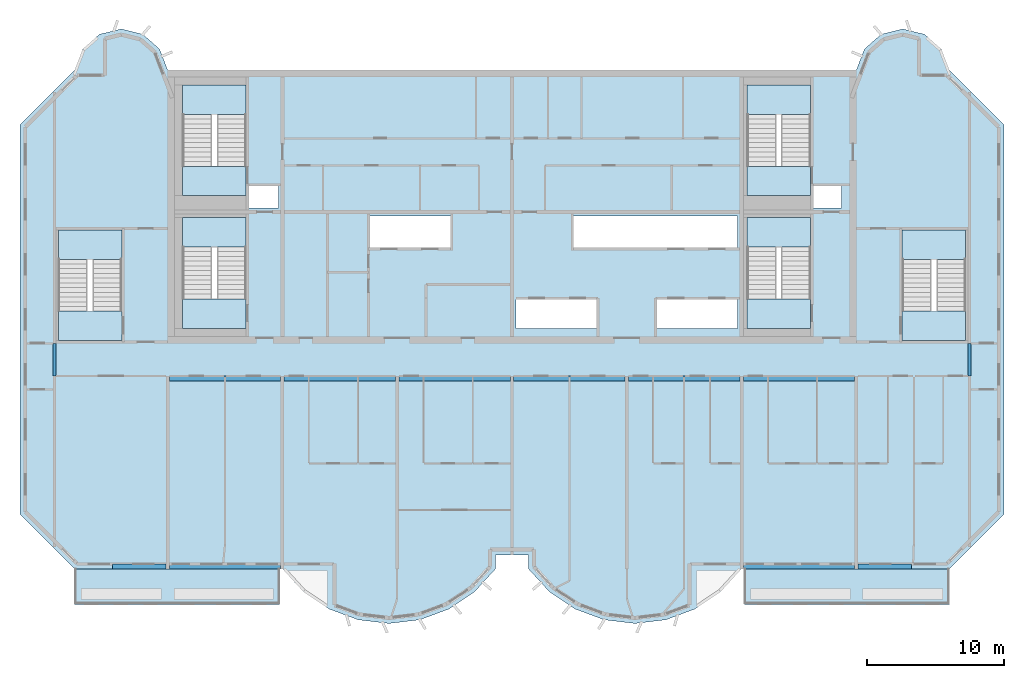
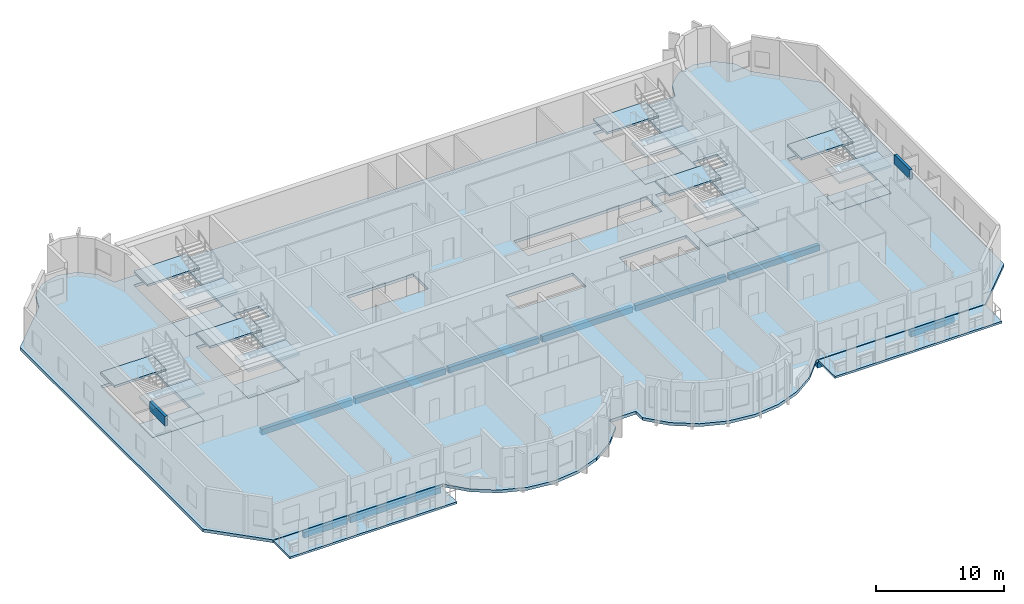
# One storey, part 1 of 12: 21 slabs, 12 beams, 6 elements without a shape of their own.
"""IFC4 building model written with IfcOpenShell, lengths in metres."""

from ifc_helpers import new_model, si_unit, direction, frame, origin, origin_2d, place, context, subcontext, project, spatial, polyline, rectangle, outline, extrude, source, transform, mapped, material, layer, layer_set, material_profile, profile_set, type_object, element, aggregate, save


model = new_model("IFC4")

# Units and contexts
model_context = context("Model", 3, precision=1e-05, world=origin(), true_north=direction((0.0, 1.0)))
body_context = subcontext(model_context, "Body", "Model", "MODEL_VIEW")
ifc_project = project(units=[si_unit("LENGTHUNIT", "METRE"), si_unit("AREAUNIT", "SQUARE_METRE"), si_unit("VOLUMEUNIT", "CUBIC_METRE"), si_unit("PLANEANGLEUNIT", "RADIAN"), si_unit("MASSUNIT", "GRAM", prefix="KILO")], contexts=[model_context])

# Site, building, storey
site_placement = place(None, origin())
site = spatial("IfcSite", under=ifc_project, at=site_placement, CompositionType="ELEMENT")
building_placement = place(site_placement, origin())
building = spatial("IfcBuilding", under=site, at=building_placement, Name="Vanashikhar Sky Hotel", CompositionType="ELEMENT")
storey_placement = place(building_placement, frame((0.0, 0.0, 313.699951171875)))
storey = spatial("IfcBuildingStorey", under=building, at=storey_placement, Name="L75", CompositionType="ELEMENT", Elevation=313.699951171875)

# Beams
ifc_material_1 = material(Name="Concrete M50", Category="concrete")
ifc_material_profile_1 = material_profile(ifc_material_1, rectangle(XDim=0.25, YDim=0.89990234375, at=origin_2d()))
ifc_profile_set_1 = profile_set([ifc_material_profile_1], Name="RC 250x900 beam Concrete M50")
beam_type_1 = type_object("IfcBeamType", Name="RC 250x900 beam Concrete M50", PredefinedType="LINTEL", material=ifc_profile_set_1)
shared_shape_1 = source(origin(), body_context, "Body", "SweptSolid", [
    extrude(rectangle(XDim=0.25, YDim=0.89990234375, at=origin_2d()), origin(), (0.0, 0.0, 1.0), 2.39990234375),
])
for number, where, z_axis, x_axis, name in (
    (1, (16.925048828125, 19.60009765625, 3.27001953125), (0.0, 1.0, 0.0), (-1.0, 0.0, 0.0), "LB-L75-XW03"),
    (2, (83.875, 19.60009765625, 3.27001953125), (0.0, 1.0, 0.0), (-1.0, 0.0, 0.0), "LB-L75-XW11"),
):
    element("IfcBeam", number, at=place(storey_placement, frame(where, z_axis=z_axis, x_axis=x_axis)), inside=storey, type_object=beam_type_1, Name=name, PredefinedType="LINTEL", context=body_context, shape_type="MappedRepresentation", body=[
        mapped(shared_shape_1, transform((0.0, 0.0, 0.0), scale=1.0)),
    ])
ifc_material_profile_2 = material_profile(ifc_material_1, rectangle(XDim=0.35009765625, YDim=0.550048828125, at=origin_2d()))
ifc_profile_set_2 = profile_set([ifc_material_profile_2], Name="RC 350x550 beam Concrete M50")
beam_type_2 = type_object("IfcBeamType", Name="RC 350x550 beam Concrete M50", PredefinedType="SPANDREL", material=ifc_profile_set_2)
shared_shape_2 = source(origin(), body_context, "Body", "SweptSolid", [
    extrude(rectangle(XDim=0.35009765625, YDim=0.550048828125, at=origin_2d()), origin(), (0.0, 0.0, 1.0), 8.150146484375),
])
for number, where, z_axis, x_axis, name in (
    (3, (25.324951171875, 5.675048828125, -0.554931640625), (1.0, 0.0, 0.0), (0.0, 1.0, 0.0), "EB-L75-F01"),
    (4, (67.324951171875, 5.675048828125, -0.554931640625), (1.0, 0.0, 0.0), (0.0, 1.0, 0.0), "EB-L75-F03"),
    (5, (25.324951171875, 19.425048828125, -0.554931640625), (1.0, 0.0, 0.0), (0.0, 1.0, 0.0), "CB-L75-01"),
    (6, (50.52490234375, 19.425048828125, -0.554931640625), (1.0, 0.0, 0.0), (0.0, 1.0, 0.0), "CB-L75-04"),
    (7, (67.324951171875, 19.425048828125, -0.554931640625), (1.0, 0.0, 0.0), (0.0, 1.0, 0.0), "CB-L75-06"),
):
    element("IfcBeam", number, at=place(storey_placement, frame(where, z_axis=z_axis, x_axis=x_axis)), inside=storey, type_object=beam_type_2, Name=name, PredefinedType="SPANDREL", context=body_context, shape_type="MappedRepresentation", body=[
        mapped(shared_shape_2, transform((0.0, 0.0, 0.0), scale=1.0)),
    ])
ifc_material_profile_3 = material_profile(ifc_material_1, rectangle(XDim=0.35009765625, YDim=0.550048828125, at=origin_2d()))
ifc_profile_set_3 = profile_set([ifc_material_profile_3], Name="RC 350x550 cantilever beam Concrete M50")
beam_type_3 = type_object("IfcBeamType", Name="RC 350x550 cantilever beam Concrete M50", PredefinedType="SPANDREL", material=ifc_profile_set_3)
shared_shape_3 = source(origin(), body_context, "Body", "SweptSolid", [
    extrude(rectangle(XDim=0.35009765625, YDim=0.550048828125, at=origin_2d()), origin(), (0.0, 0.0, 1.0), 3.89990234375),
])
for number, where, z_axis, x_axis, name in (
    (8, (21.175048828125, 5.675048828125, -0.554931640625), (1.0, 0.0, 0.0), (0.0, 1.0, 0.0), "EB-L75-F02"),
    (9, (75.72509765625, 5.675048828125, -0.554931640625), (1.0, 0.0, 0.0), (0.0, 1.0, 0.0), "EB-L75-F04"),
):
    element("IfcBeam", number, at=place(storey_placement, frame(where, z_axis=z_axis, x_axis=x_axis)), inside=storey, type_object=beam_type_3, Name=name, PredefinedType="SPANDREL", context=body_context, shape_type="MappedRepresentation", body=[
        mapped(shared_shape_3, transform((0.0, 0.0, 0.0), scale=1.0)),
    ])
shared_shape_4 = source(origin(), body_context, "Body", "SweptSolid", [
    extrude(rectangle(XDim=0.35009765625, YDim=0.550048828125, at=origin_2d()), origin(), (0.0, 0.0, 1.0), 8.14990234375),
])
for number, where, z_axis, x_axis, name in (
    (10, (33.72509765625, 19.425048828125, -0.554931640625), (1.0, 0.0, 0.0), (0.0, 1.0, 0.0), "CB-L75-02"),
    (11, (42.125, 19.425048828125, -0.554931640625), (1.0, 0.0, 0.0), (0.0, 1.0, 0.0), "CB-L75-03"),
    (12, (58.925048828125, 19.425048828125, -0.554931640625), (1.0, 0.0, 0.0), (0.0, 1.0, 0.0), "CB-L75-05"),
):
    element("IfcBeam", number, at=place(storey_placement, frame(where, z_axis=z_axis, x_axis=x_axis)), inside=storey, type_object=beam_type_2, Name=name, PredefinedType="SPANDREL", context=body_context, shape_type="MappedRepresentation", body=[
        mapped(shared_shape_4, transform((0.0, 0.0, 0.0), scale=1.0)),
    ])

# Slabs
ifc_material_2 = material(Name="Concrete M40", Category="concrete")
ifc_layer_1 = layer(ifc_material_2, 0.199951171875)
ifc_layer_set_1 = layer_set([ifc_layer_1], Name="Balcony slab 200 mm")
slab_type_1 = type_object("IfcSlabType", Name="Balcony slab 200 mm", PredefinedType="USERDEFINED", material=ifc_layer_set_1)
shared_shape_5 = source(origin(), body_context, "Body", "SweptSolid", [
    extrude(outline(polyline([(18.39990234375, 2.89990234375), (33.39990234375, 2.89990234375), (33.39990234375, 5.5), (18.39990234375, 5.5), (18.39990234375, 2.89990234375)])), origin(), (0.0, 0.0, 1.0), 0.199951171875),
])
slab_1_placement = place(storey_placement, frame((0.0, 0.0, -0.25)))
element("IfcSlab", 13, at=slab_1_placement, inside=storey, type_object=slab_type_1, Name="Balcony slab L75 1", ObjectType="BALCONY", PredefinedType="USERDEFINED", context=body_context, shape_type="MappedRepresentation", body=[
    mapped(shared_shape_5, transform((0.0, 0.0, 0.0), scale=1.0)),
])
shared_shape_6 = source(origin(), body_context, "Body", "SweptSolid", [
    extrude(outline(polyline([(67.39990234375, 2.89990234375), (82.39990234375, 2.89990234375), (82.39990234375, 5.5), (67.39990234375, 5.5), (67.39990234375, 2.89990234375)])), origin(), (0.0, 0.0, 1.0), 0.199951171875),
])
slab_2_placement = place(storey_placement, frame((0.0, 0.0, -0.25)))
element("IfcSlab", 14, at=slab_2_placement, inside=storey, type_object=slab_type_1, Name="Balcony slab L75 2", ObjectType="BALCONY", PredefinedType="USERDEFINED", context=body_context, shape_type="MappedRepresentation", body=[
    mapped(shared_shape_6, transform((0.0, 0.0, 0.0), scale=1.0)),
])
ifc_layer_2 = layer(ifc_material_2, 0.280029296875)
ifc_layer_set_2 = layer_set([ifc_layer_2], Name="Floor slab 280 mm")
slab_type_2 = type_object("IfcSlabType", Name="Floor slab 280 mm", PredefinedType="FLOOR", material=ifc_layer_set_2)
shared_shape_7 = source(origin(), body_context, "Body", "SweptSolid", [
    extrude(outline(polyline([(14.39990234375, 9.5), (14.39990234375, 9.5), (14.39990234375, 38.0), (14.39990234375, 38.0), (14.400146484375, 38.0), (18.39990234375, 42.0), (18.39990234375, 42.0), (18.400146484375, 42.0), (18.400146484375, 42.0), (18.400390625, 42.0), (18.400634765625, 42.0), (18.40087890625, 42.0), (18.4013671875, 42.000244140625), (18.401611328125, 42.000244140625), (18.40185546875, 42.00048828125), (18.402099609375, 42.000732421875), (18.40234375, 42.000732421875), (18.402587890625, 42.001220703125), (18.402587890625, 42.001220703125), (18.40283203125, 42.00146484375), (18.40283203125, 42.001708984375), (18.403076171875, 42.002197265625), (18.403076171875, 42.002197265625), (18.987060546875, 43.52587890625), (18.987060546875, 43.52587890625), (18.987060546875, 43.52587890625), (20.2099609375, 44.60595703125), (20.2099609375, 44.60595703125), (20.210205078125, 44.60595703125), (20.21044921875, 44.606201171875), (20.210693359375, 44.606201171875), (20.2109375, 44.6064453125), (20.211181640625, 44.606689453125), (20.211181640625, 44.60693359375), (20.21142578125, 44.607177734375), (20.211669921875, 44.607421875), (20.2119140625, 44.607666015625), (20.2119140625, 44.60791015625), (20.2119140625, 44.608154296875), (20.2119140625, 44.6083984375), (20.2119140625, 44.60888671875), (20.2119140625, 44.60986328125), (20.2119140625, 44.610107421875), (20.212158203125, 44.610107421875), (21.7998046875, 45.0), (21.800048828125, 45.0), (21.800048828125, 45.0), (23.387939453125, 44.610107421875), (23.387939453125, 44.610107421875), (23.38818359375, 44.610107421875), (24.614990234375, 43.527099609375), (24.614990234375, 43.527099609375), (24.614990234375, 43.52685546875), (25.19921875, 42.001953125), (25.199462890625, 42.001708984375), (25.199462890625, 42.00146484375), (25.19970703125, 42.001220703125), (25.199951171875, 42.0009765625), (25.2001953125, 42.000732421875), (25.200439453125, 42.00048828125), (25.20068359375, 42.00048828125), (25.200927734375, 42.000244140625), (25.201171875, 42.0), (25.201416015625, 42.0), (25.201904296875, 42.0), (25.2021484375, 42.0), (75.597900390625, 42.0), (75.59814453125, 42.0), (75.598388671875, 42.0), (75.598876953125, 42.0), (75.59912109375, 42.000244140625), (75.599365234375, 42.00048828125), (75.599609375, 42.00048828125), (75.599853515625, 42.000732421875), (75.60009765625, 42.0009765625), (75.600341796875, 42.001220703125), (75.6005859375, 42.00146484375), (75.6005859375, 42.001708984375), (75.6005859375, 42.001953125), (76.18505859375, 43.52685546875), (76.18505859375, 43.527099609375), (76.18505859375, 43.527099609375), (77.411865234375, 44.610107421875), (77.412109375, 44.610107421875), (77.412109375, 44.610107421875), (79.0, 45.0), (79.0, 45.0), (79.0, 45.0), (80.587890625, 44.610107421875), (80.587890625, 44.610107421875), (80.587890625, 44.60986328125), (80.587890625, 44.60888671875), (80.587890625, 44.6083984375), (80.588134765625, 44.608154296875), (80.588134765625, 44.60791015625), (80.588134765625, 44.607666015625), (80.58837890625, 44.607421875), (80.58837890625, 44.607177734375), (80.588623046875, 44.60693359375), (80.5888671875, 44.606689453125), (80.589111328125, 44.6064453125), (80.58935546875, 44.606201171875), (80.589599609375, 44.606201171875), (80.58984375, 44.60595703125), (80.590087890625, 44.60595703125), (80.590087890625, 44.60595703125), (81.81298828125, 43.52587890625), (81.81298828125, 43.52587890625), (81.81298828125, 43.52587890625), (82.39697265625, 42.002197265625), (82.39697265625, 42.002197265625), (82.397216796875, 42.001708984375), (82.397216796875, 42.00146484375), (82.3974609375, 42.001220703125), (82.3974609375, 42.001220703125), (82.397705078125, 42.000732421875), (82.39794921875, 42.000732421875), (82.398193359375, 42.00048828125), (82.3984375, 42.000244140625), (82.398681640625, 42.000244140625), (82.39892578125, 42.0), (82.3994140625, 42.0), (82.3994140625, 42.0), (82.39990234375, 42.0), (82.39990234375, 42.0), (82.39990234375, 42.0), (82.400146484375, 42.0), (86.39990234375, 38.0), (86.39990234375, 38.0), (86.39990234375, 38.0), (86.39990234375, 9.5), (86.39990234375, 9.5), (86.39990234375, 9.5), (82.400146484375, 5.5), (82.39990234375, 5.5), (82.39990234375, 5.5), (67.19775390625, 5.5), (67.197509765625, 5.5), (67.197265625, 5.5), (67.197021484375, 5.5), (67.19677734375, 5.499755859375), (67.1962890625, 5.499755859375), (67.1962890625, 5.49951171875), (67.19580078125, 5.499267578125), (67.19580078125, 5.4990234375), (67.195556640625, 5.498779296875), (67.1953125, 5.498779296875), (67.1953125, 5.498291015625), (67.195068359375, 5.498291015625), (67.195068359375, 5.498046875), (67.195068359375, 5.498046875), (67.195068359375, 5.497802734375), (65.666015625, 3.828125), (65.666015625, 3.827880859375), (65.666015625, 3.827880859375), (63.78515625, 2.56201171875), (63.784912109375, 2.56201171875), (63.784912109375, 2.56201171875), (63.78466796875, 2.56201171875), (63.784423828125, 2.561767578125), (63.7841796875, 2.5615234375), (63.783935546875, 2.561279296875), (63.78369140625, 2.56103515625), (63.783447265625, 2.560791015625), (63.783447265625, 2.560546875), (63.783203125, 2.560302734375), (63.783203125, 2.56005859375), (63.783203125, 2.559814453125), (63.782958984375, 2.5595703125), (63.782958984375, 2.55908203125), (63.782958984375, 2.55810546875), (63.782958984375, 2.55810546875), (63.782958984375, 2.55810546875), (61.654052734375, 1.76806640625), (61.654052734375, 1.76806640625), (61.65380859375, 1.76806640625), (59.400146484375, 1.5), (59.39990234375, 1.5), (59.39990234375, 1.5), (57.14599609375, 1.76806640625), (57.14599609375, 1.76806640625), (57.14599609375, 1.76806640625), (55.01708984375, 2.55810546875), (55.01708984375, 2.55810546875), (55.016845703125, 2.55810546875), (53.133056640625, 3.825927734375), (53.133056640625, 3.825927734375), (53.1328125, 3.826171875), (51.60009765625, 5.5), (51.60009765625, 5.5), (51.60009765625, 5.5), (51.60009765625, 6.4970703125), (51.60009765625, 6.497314453125), (51.599853515625, 6.49755859375), (51.599853515625, 6.497802734375), (51.599853515625, 6.498046875), (51.599609375, 6.498291015625), (51.599609375, 6.498779296875), (51.599365234375, 6.498779296875), (51.59912109375, 6.4990234375), (51.598876953125, 6.499267578125), (51.5986328125, 6.49951171875), (51.598388671875, 6.49951171875), (51.59814453125, 6.499755859375), (51.597900390625, 6.5), (51.59765625, 6.5), (51.597412109375, 6.5), (51.596923828125, 6.5), (49.202880859375, 6.5), (49.20263671875, 6.5), (49.202392578125, 6.5), (49.2021484375, 6.5), (49.201904296875, 6.499755859375), (49.20166015625, 6.49951171875), (49.201416015625, 6.49951171875), (49.201171875, 6.499267578125), (49.200927734375, 6.4990234375), (49.20068359375, 6.498779296875), (49.200439453125, 6.498779296875), (49.200439453125, 6.498291015625), (49.2001953125, 6.498046875), (49.2001953125, 6.497802734375), (49.2001953125, 6.49755859375), (49.199951171875, 6.497314453125), (49.199951171875, 6.4970703125), (49.199951171875, 5.5), (49.199951171875, 5.5), (49.199951171875, 5.5), (47.6669921875, 3.826171875), (47.6669921875, 3.825927734375), (47.6669921875, 3.825927734375), (45.783203125, 2.55810546875), (45.782958984375, 2.55810546875), (45.782958984375, 2.55810546875), (43.654052734375, 1.76806640625), (43.654052734375, 1.76806640625), (43.65380859375, 1.76806640625), (41.400146484375, 1.5), (41.39990234375, 1.5), (41.39990234375, 1.5), (39.14599609375, 1.76806640625), (39.14599609375, 1.76806640625), (39.14599609375, 1.76806640625), (37.01708984375, 2.55810546875), (37.01708984375, 2.55810546875), (37.01708984375, 2.55810546875), (37.01708984375, 2.55908203125), (37.01708984375, 2.5595703125), (37.016845703125, 2.559814453125), (37.016845703125, 2.56005859375), (37.016845703125, 2.560302734375), (37.0166015625, 2.560546875), (37.0166015625, 2.560791015625), (37.016357421875, 2.56103515625), (37.01611328125, 2.561279296875), (37.015869140625, 2.5615234375), (37.015625, 2.561767578125), (37.015380859375, 2.56201171875), (37.014892578125, 2.56201171875), (37.014892578125, 2.56201171875), (37.014892578125, 2.56201171875), (35.134033203125, 3.827880859375), (35.134033203125, 3.827880859375), (35.1337890625, 3.828125), (33.60498046875, 5.497802734375), (33.60498046875, 5.498046875), (33.60498046875, 5.498046875), (33.60498046875, 5.498291015625), (33.604736328125, 5.498291015625), (33.604736328125, 5.498779296875), (33.6044921875, 5.498779296875), (33.604248046875, 5.4990234375), (33.60400390625, 5.499267578125), (33.603759765625, 5.49951171875), (33.603515625, 5.499755859375), (33.603271484375, 5.499755859375), (33.60302734375, 5.5), (33.602783203125, 5.5), (33.6025390625, 5.5), (33.602294921875, 5.5), (18.400146484375, 5.5), (18.39990234375, 5.5), (18.39990234375, 5.5), (14.400146484375, 9.5), (14.39990234375, 9.5)]), holes=[polyline([(33.300048828125, 33.60009765625), (31.050048828125, 33.60009765625), (31.050048828125, 31.89990234375), (33.300048828125, 31.89990234375), (33.300048828125, 33.60009765625)]), polyline([(39.89990234375, 31.300048828125), (39.89990234375, 29.0), (45.89990234375, 29.0), (45.89990234375, 31.300048828125), (39.89990234375, 31.300048828125)]), polyline([(50.699951171875, 25.199951171875), (50.699951171875, 23.10009765625), (56.699951171875, 23.10009765625), (56.699951171875, 25.199951171875), (50.699951171875, 25.199951171875)]), polyline([(66.89990234375, 29.0), (66.89990234375, 31.300048828125), (54.89990234375, 31.300048828125), (54.89990234375, 29.0), (66.89990234375, 29.0)]), polyline([(60.89990234375, 25.199951171875), (60.89990234375, 23.10009765625), (66.89990234375, 23.10009765625), (66.89990234375, 25.199951171875), (60.89990234375, 25.199951171875)]), polyline([(74.5, 33.60009765625), (72.35009765625, 33.60009765625), (72.35009765625, 31.89990234375), (74.5, 31.89990234375), (74.5, 33.60009765625)]), polyline([(30.949951171875, 23.10009765625), (30.949951171875, 31.199951171875), (26.300048828125, 31.199951171875), (26.300048828125, 23.10009765625), (30.949951171875, 23.10009765625)]), polyline([(72.25, 23.10009765625), (72.25, 31.199951171875), (67.60009765625, 31.199951171875), (67.60009765625, 23.10009765625), (72.25, 23.10009765625)]), polyline([(30.949951171875, 32.800048828125), (30.949951171875, 40.89990234375), (26.300048828125, 40.89990234375), (26.300048828125, 32.800048828125), (30.949951171875, 32.800048828125)]), polyline([(72.25, 32.800048828125), (72.25, 40.89990234375), (67.60009765625, 40.89990234375), (67.60009765625, 32.800048828125), (72.25, 32.800048828125)]), polyline([(83.60009765625, 22.199951171875), (83.60009765625, 30.300048828125), (78.949951171875, 30.300048828125), (78.949951171875, 22.199951171875), (83.60009765625, 22.199951171875)]), polyline([(21.85009765625, 22.199951171875), (21.85009765625, 30.300048828125), (17.199951171875, 30.300048828125), (17.199951171875, 22.199951171875), (21.85009765625, 22.199951171875)])]), origin(), (0.0, 0.0, 1.0), 0.280029296875),
])
slab_3_placement = place(storey_placement, frame((0.0, 0.0, -0.280029296875)))
element("IfcSlab", 15, at=slab_3_placement, inside=storey, type_object=slab_type_2, Name="Floor slab L75", PredefinedType="FLOOR", context=body_context, shape_type="MappedRepresentation", body=[
    mapped(shared_shape_7, transform((0.0, 0.0, 0.0), scale=1.0)),
])

# Stair, slabs
stair_type = type_object("IfcStairType", Name="Exit stair 2150", PredefinedType="DOUBLE_RETURN_STAIR", material=ifc_material_2)
stair_1_placement = place(storey_placement, origin())
stair_1 = element("IfcStair", 16, at=stair_1_placement, inside=storey, type_object=stair_type, Name="L75 Exit stair 1", PredefinedType="DOUBLE_RETURN_STAIR")
ifc_layer_3 = layer(ifc_material_2, 0.199951171875)
ifc_layer_set_3 = layer_set([ifc_layer_3], Name="Stair landing 200")
slab_type_3 = type_object("IfcSlabType", Name="Stair landing 200", PredefinedType="LANDING", material=ifc_layer_set_3)
shared_shape_8 = source(origin(), body_context, "Body", "SweptSolid", [
    extrude(outline(polyline([(30.949951171875, 23.10009765625), (30.949951171875, 25.25), (26.300048828125, 25.25), (26.300048828125, 23.10009765625), (30.949951171875, 23.10009765625)])), origin(), (0.0, 0.0, 1.0), 0.199951171875),
])
slab_4_placement = place(storey_placement, frame((0.0, 0.0, 2.466796875)))
slab_4 = element("IfcSlab", 17, at=slab_4_placement, type_object=slab_type_3, Name="ST-C1 landing 2", PredefinedType="LANDING", context=body_context, shape_type="MappedRepresentation", body=[
    mapped(shared_shape_8, transform((0.0, 0.0, 0.0), scale=1.0)),
])
shared_shape_9 = source(origin(), body_context, "Body", "SweptSolid", [
    extrude(outline(polyline([(30.949951171875, 29.050048828125), (30.949951171875, 31.199951171875), (26.300048828125, 31.199951171875), (26.300048828125, 29.050048828125), (30.949951171875, 29.050048828125)])), origin(), (0.0, 0.0, 1.0), 0.2001953125),
])
slab_5_placement = place(storey_placement, frame((0.0, 0.0, 1.13330078125)))
slab_5 = element("IfcSlab", 18, at=slab_5_placement, type_object=slab_type_3, Name="ST-C1 landing 1", PredefinedType="LANDING", context=body_context, shape_type="MappedRepresentation", body=[
    mapped(shared_shape_9, transform((0.0, 0.0, 0.0), scale=1.0)),
])
aggregate(stair_1, [slab_5, slab_4])

# Slab
ifc_layer_4 = layer(ifc_material_2, 0.280029296875)
ifc_layer_set_4 = layer_set([ifc_layer_4], Name="Stair floor landing 280")
slab_type_4 = type_object("IfcSlabType", Name="Stair floor landing 280", PredefinedType="LANDING", material=ifc_layer_set_4)
shared_shape_10 = source(origin(), body_context, "Body", "SweptSolid", [
    extrude(outline(polyline([(30.949951171875, 23.10009765625), (30.949951171875, 25.25), (26.300048828125, 25.25), (26.300048828125, 23.10009765625), (30.949951171875, 23.10009765625)])), origin(), (0.0, 0.0, 1.0), 0.280029296875),
])
slab_6_placement = place(storey_placement, frame((0.0, 0.0, -0.280029296875)))
element("IfcSlab", 19, at=slab_6_placement, inside=storey, type_object=slab_type_4, Name="Exit stair 1 floor landing", PredefinedType="LANDING", context=body_context, shape_type="MappedRepresentation", body=[
    mapped(shared_shape_10, transform((0.0, 0.0, 0.0), scale=1.0)),
])

# Stair, slabs
stair_2_placement = place(storey_placement, origin())
stair_2 = element("IfcStair", 20, at=stair_2_placement, inside=storey, type_object=stair_type, Name="L75 Exit stair 2", PredefinedType="DOUBLE_RETURN_STAIR")
shared_shape_11 = source(origin(), body_context, "Body", "SweptSolid", [
    extrude(outline(polyline([(72.25, 23.10009765625), (72.25, 25.25), (67.60009765625, 25.25), (67.60009765625, 23.10009765625), (72.25, 23.10009765625)])), origin(), (0.0, 0.0, 1.0), 0.199951171875),
])
slab_7_placement = place(storey_placement, frame((0.0, 0.0, 2.466796875)))
slab_7 = element("IfcSlab", 21, at=slab_7_placement, type_object=slab_type_3, Name="ST-C2 landing 2", PredefinedType="LANDING", context=body_context, shape_type="MappedRepresentation", body=[
    mapped(shared_shape_11, transform((0.0, 0.0, 0.0), scale=1.0)),
])
shared_shape_12 = source(origin(), body_context, "Body", "SweptSolid", [
    extrude(outline(polyline([(72.25, 29.050048828125), (72.25, 31.199951171875), (67.60009765625, 31.199951171875), (67.60009765625, 29.050048828125), (72.25, 29.050048828125)])), origin(), (0.0, 0.0, 1.0), 0.2001953125),
])
slab_8_placement = place(storey_placement, frame((0.0, 0.0, 1.13330078125)))
slab_8 = element("IfcSlab", 22, at=slab_8_placement, type_object=slab_type_3, Name="ST-C2 landing 1", PredefinedType="LANDING", context=body_context, shape_type="MappedRepresentation", body=[
    mapped(shared_shape_12, transform((0.0, 0.0, 0.0), scale=1.0)),
])
aggregate(stair_2, [slab_8, slab_7])

# Slab
shared_shape_13 = source(origin(), body_context, "Body", "SweptSolid", [
    extrude(outline(polyline([(72.25, 23.10009765625), (72.25, 25.25), (67.60009765625, 25.25), (67.60009765625, 23.10009765625), (72.25, 23.10009765625)])), origin(), (0.0, 0.0, 1.0), 0.280029296875),
])
slab_9_placement = place(storey_placement, frame((0.0, 0.0, -0.280029296875)))
element("IfcSlab", 23, at=slab_9_placement, inside=storey, type_object=slab_type_4, Name="Exit stair 2 floor landing", PredefinedType="LANDING", context=body_context, shape_type="MappedRepresentation", body=[
    mapped(shared_shape_13, transform((0.0, 0.0, 0.0), scale=1.0)),
])

# Stair, slabs
stair_3_placement = place(storey_placement, origin())
stair_3 = element("IfcStair", 24, at=stair_3_placement, inside=storey, type_object=stair_type, Name="L75 Exit stair 3", PredefinedType="DOUBLE_RETURN_STAIR")
shared_shape_14 = source(origin(), body_context, "Body", "SweptSolid", [
    extrude(outline(polyline([(21.85009765625, 22.199951171875), (21.85009765625, 24.35009765625), (17.199951171875, 24.35009765625), (17.199951171875, 22.199951171875), (21.85009765625, 22.199951171875)])), origin(), (0.0, 0.0, 1.0), 0.199951171875),
])
slab_10_placement = place(storey_placement, frame((0.0, 0.0, 2.466796875)))
slab_10 = element("IfcSlab", 25, at=slab_10_placement, type_object=slab_type_3, Name="ST-W landing 2", PredefinedType="LANDING", context=body_context, shape_type="MappedRepresentation", body=[
    mapped(shared_shape_14, transform((0.0, 0.0, 0.0), scale=1.0)),
])
shared_shape_15 = source(origin(), body_context, "Body", "SweptSolid", [
    extrude(outline(polyline([(21.85009765625, 28.14990234375), (21.85009765625, 30.300048828125), (17.199951171875, 30.300048828125), (17.199951171875, 28.14990234375), (21.85009765625, 28.14990234375)])), origin(), (0.0, 0.0, 1.0), 0.2001953125),
])
slab_11_placement = place(storey_placement, frame((0.0, 0.0, 1.13330078125)))
slab_11 = element("IfcSlab", 26, at=slab_11_placement, type_object=slab_type_3, Name="ST-W landing 1", PredefinedType="LANDING", context=body_context, shape_type="MappedRepresentation", body=[
    mapped(shared_shape_15, transform((0.0, 0.0, 0.0), scale=1.0)),
])
aggregate(stair_3, [slab_11, slab_10])

# Slab
shared_shape_16 = source(origin(), body_context, "Body", "SweptSolid", [
    extrude(outline(polyline([(21.85009765625, 22.199951171875), (21.85009765625, 24.35009765625), (17.199951171875, 24.35009765625), (17.199951171875, 22.199951171875), (21.85009765625, 22.199951171875)])), origin(), (0.0, 0.0, 1.0), 0.280029296875),
])
slab_12_placement = place(storey_placement, frame((0.0, 0.0, -0.280029296875)))
element("IfcSlab", 27, at=slab_12_placement, inside=storey, type_object=slab_type_4, Name="Exit stair 3 floor landing", PredefinedType="LANDING", context=body_context, shape_type="MappedRepresentation", body=[
    mapped(shared_shape_16, transform((0.0, 0.0, 0.0), scale=1.0)),
])

# Stair, slabs
stair_4_placement = place(storey_placement, origin())
stair_4 = element("IfcStair", 28, at=stair_4_placement, inside=storey, type_object=stair_type, Name="L75 Exit stair 4", PredefinedType="DOUBLE_RETURN_STAIR")
shared_shape_17 = source(origin(), body_context, "Body", "SweptSolid", [
    extrude(outline(polyline([(83.60009765625, 22.199951171875), (83.60009765625, 24.35009765625), (78.949951171875, 24.35009765625), (78.949951171875, 22.199951171875), (83.60009765625, 22.199951171875)])), origin(), (0.0, 0.0, 1.0), 0.199951171875),
])
slab_13_placement = place(storey_placement, frame((0.0, 0.0, 2.466796875)))
slab_13 = element("IfcSlab", 29, at=slab_13_placement, type_object=slab_type_3, Name="ST-E landing 2", PredefinedType="LANDING", context=body_context, shape_type="MappedRepresentation", body=[
    mapped(shared_shape_17, transform((0.0, 0.0, 0.0), scale=1.0)),
])
shared_shape_18 = source(origin(), body_context, "Body", "SweptSolid", [
    extrude(outline(polyline([(83.60009765625, 28.14990234375), (83.60009765625, 30.300048828125), (78.949951171875, 30.300048828125), (78.949951171875, 28.14990234375), (83.60009765625, 28.14990234375)])), origin(), (0.0, 0.0, 1.0), 0.2001953125),
])
slab_14_placement = place(storey_placement, frame((0.0, 0.0, 1.13330078125)))
slab_14 = element("IfcSlab", 30, at=slab_14_placement, type_object=slab_type_3, Name="ST-E landing 1", PredefinedType="LANDING", context=body_context, shape_type="MappedRepresentation", body=[
    mapped(shared_shape_18, transform((0.0, 0.0, 0.0), scale=1.0)),
])
aggregate(stair_4, [slab_14, slab_13])

# Slab
shared_shape_19 = source(origin(), body_context, "Body", "SweptSolid", [
    extrude(outline(polyline([(83.60009765625, 22.199951171875), (83.60009765625, 24.35009765625), (78.949951171875, 24.35009765625), (78.949951171875, 22.199951171875), (83.60009765625, 22.199951171875)])), origin(), (0.0, 0.0, 1.0), 0.280029296875),
])
slab_15_placement = place(storey_placement, frame((0.0, 0.0, -0.280029296875)))
element("IfcSlab", 31, at=slab_15_placement, inside=storey, type_object=slab_type_4, Name="Exit stair 4 floor landing", PredefinedType="LANDING", context=body_context, shape_type="MappedRepresentation", body=[
    mapped(shared_shape_19, transform((0.0, 0.0, 0.0), scale=1.0)),
])

# Stair, slabs
stair_5_placement = place(storey_placement, origin())
stair_5 = element("IfcStair", 32, at=stair_5_placement, inside=storey, type_object=stair_type, Name="L75 Exit stair 5", PredefinedType="DOUBLE_RETURN_STAIR")
shared_shape_20 = source(origin(), body_context, "Body", "SweptSolid", [
    extrude(outline(polyline([(30.949951171875, 32.800048828125), (30.949951171875, 34.949951171875), (26.300048828125, 34.949951171875), (26.300048828125, 32.800048828125), (30.949951171875, 32.800048828125)])), origin(), (0.0, 0.0, 1.0), 0.199951171875),
])
slab_16_placement = place(storey_placement, frame((0.0, 0.0, 2.466796875)))
slab_16 = element("IfcSlab", 33, at=slab_16_placement, type_object=slab_type_3, Name="ST-C3 landing 2", PredefinedType="LANDING", context=body_context, shape_type="MappedRepresentation", body=[
    mapped(shared_shape_20, transform((0.0, 0.0, 0.0), scale=1.0)),
])
shared_shape_21 = source(origin(), body_context, "Body", "SweptSolid", [
    extrude(outline(polyline([(30.949951171875, 38.75), (30.949951171875, 40.89990234375), (26.300048828125, 40.89990234375), (26.300048828125, 38.75), (30.949951171875, 38.75)])), origin(), (0.0, 0.0, 1.0), 0.2001953125),
])
slab_17_placement = place(storey_placement, frame((0.0, 0.0, 1.13330078125)))
slab_17 = element("IfcSlab", 34, at=slab_17_placement, type_object=slab_type_3, Name="ST-C3 landing 1", PredefinedType="LANDING", context=body_context, shape_type="MappedRepresentation", body=[
    mapped(shared_shape_21, transform((0.0, 0.0, 0.0), scale=1.0)),
])
aggregate(stair_5, [slab_17, slab_16])

# Slab
shared_shape_22 = source(origin(), body_context, "Body", "SweptSolid", [
    extrude(outline(polyline([(30.949951171875, 32.800048828125), (30.949951171875, 34.949951171875), (26.300048828125, 34.949951171875), (26.300048828125, 32.800048828125), (30.949951171875, 32.800048828125)])), origin(), (0.0, 0.0, 1.0), 0.280029296875),
])
slab_18_placement = place(storey_placement, frame((0.0, 0.0, -0.280029296875)))
element("IfcSlab", 35, at=slab_18_placement, inside=storey, type_object=slab_type_4, Name="Exit stair 5 floor landing", PredefinedType="LANDING", context=body_context, shape_type="MappedRepresentation", body=[
    mapped(shared_shape_22, transform((0.0, 0.0, 0.0), scale=1.0)),
])

# Stair, slabs
stair_6_placement = place(storey_placement, origin())
stair_6 = element("IfcStair", 36, at=stair_6_placement, inside=storey, type_object=stair_type, Name="L75 Exit stair 6", PredefinedType="DOUBLE_RETURN_STAIR")
shared_shape_23 = source(origin(), body_context, "Body", "SweptSolid", [
    extrude(outline(polyline([(72.25, 32.800048828125), (72.25, 34.949951171875), (67.60009765625, 34.949951171875), (67.60009765625, 32.800048828125), (72.25, 32.800048828125)])), origin(), (0.0, 0.0, 1.0), 0.199951171875),
])
slab_19_placement = place(storey_placement, frame((0.0, 0.0, 2.466796875)))
slab_19 = element("IfcSlab", 37, at=slab_19_placement, type_object=slab_type_3, Name="ST-C4 landing 2", PredefinedType="LANDING", context=body_context, shape_type="MappedRepresentation", body=[
    mapped(shared_shape_23, transform((0.0, 0.0, 0.0), scale=1.0)),
])
shared_shape_24 = source(origin(), body_context, "Body", "SweptSolid", [
    extrude(outline(polyline([(72.25, 38.75), (72.25, 40.89990234375), (67.60009765625, 40.89990234375), (67.60009765625, 38.75), (72.25, 38.75)])), origin(), (0.0, 0.0, 1.0), 0.2001953125),
])
slab_20_placement = place(storey_placement, frame((0.0, 0.0, 1.13330078125)))
slab_20 = element("IfcSlab", 38, at=slab_20_placement, type_object=slab_type_3, Name="ST-C4 landing 1", PredefinedType="LANDING", context=body_context, shape_type="MappedRepresentation", body=[
    mapped(shared_shape_24, transform((0.0, 0.0, 0.0), scale=1.0)),
])
aggregate(stair_6, [slab_20, slab_19])

# Slab
shared_shape_25 = source(origin(), body_context, "Body", "SweptSolid", [
    extrude(outline(polyline([(72.25, 32.800048828125), (72.25, 34.949951171875), (67.60009765625, 34.949951171875), (67.60009765625, 32.800048828125), (72.25, 32.800048828125)])), origin(), (0.0, 0.0, 1.0), 0.280029296875),
])
slab_21_placement = place(storey_placement, frame((0.0, 0.0, -0.280029296875)))
element("IfcSlab", 39, at=slab_21_placement, inside=storey, type_object=slab_type_4, Name="Exit stair 6 floor landing", PredefinedType="LANDING", context=body_context, shape_type="MappedRepresentation", body=[
    mapped(shared_shape_25, transform((0.0, 0.0, 0.0), scale=1.0)),
])

save(model, "model.ifc")
